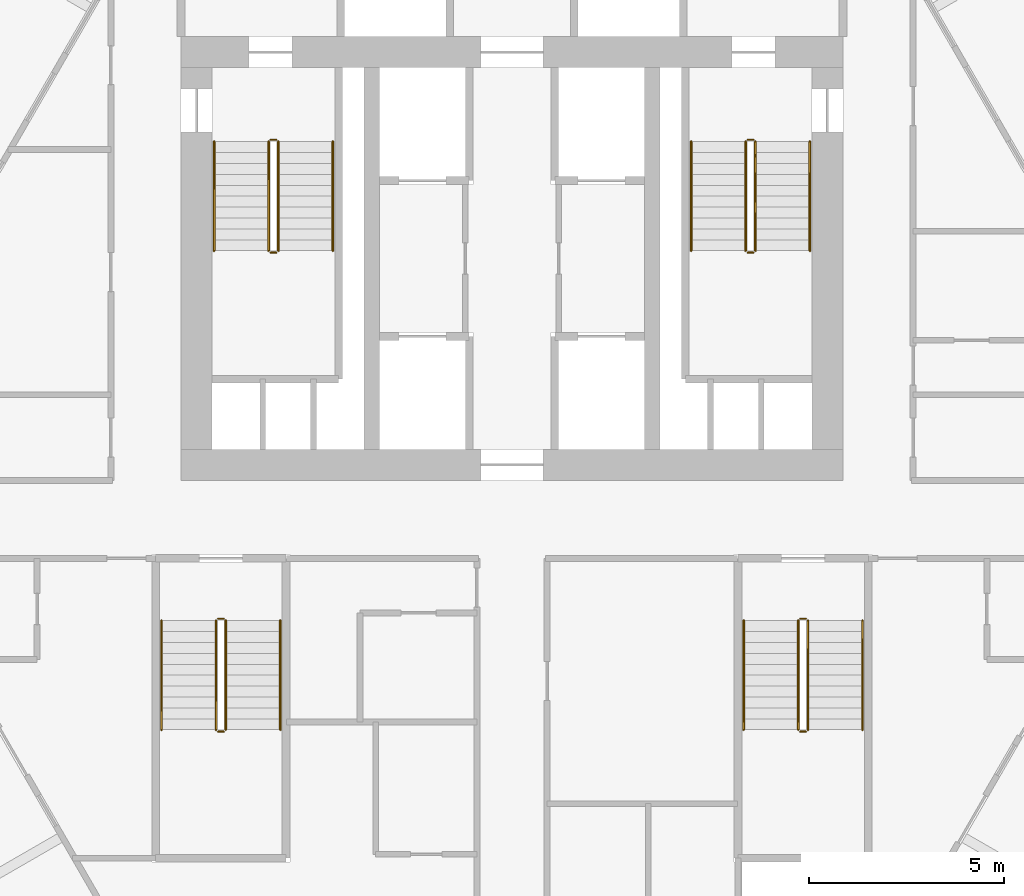
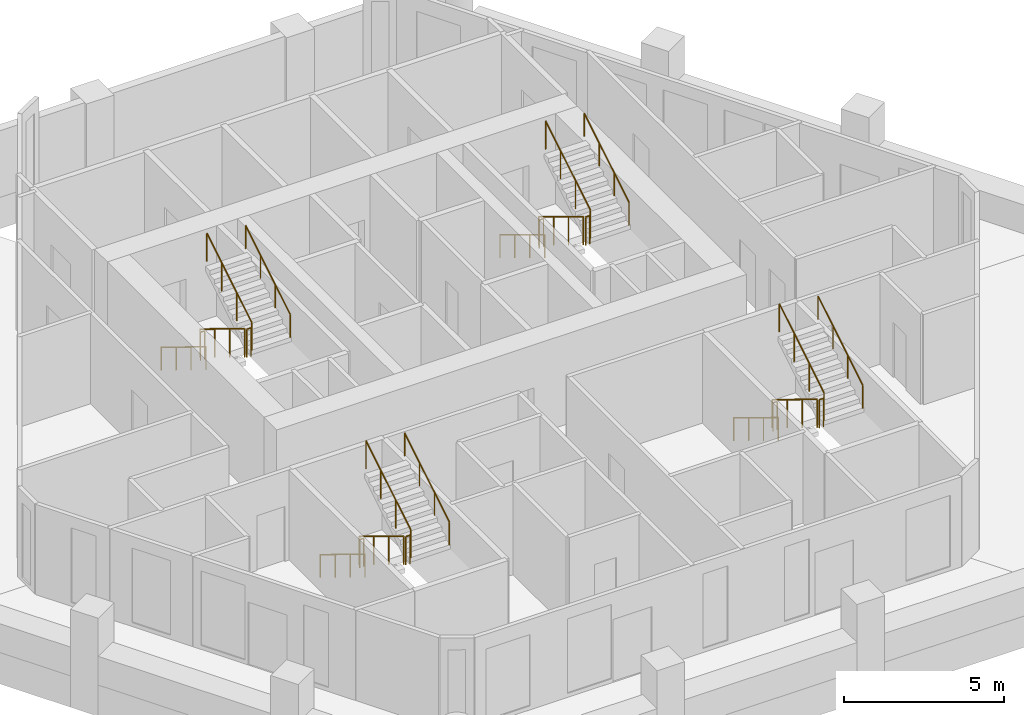
# One storey, part 7 of 7: 24 railings.
"""IFC4 building model written with IfcOpenShell, lengths in metres."""

import ifcopenshell
import ifcopenshell.guid

model = None  # the IFC model being written
_history = None  # IfcOwnerHistory: only IFC2X3 demands one
_inside = {}  # id of a spatial element -> (the spatial element, [elements in it])
_under = {}  # id of a project, library or spatial element -> (it, [spatial elements below it])
_declared = {}  # id of a project -> (the project, [libraries it declares])
_typed = {}  # id of a type object -> (the type object, [elements of that type])
_made_of = {}  # id of a material, layer set ... -> (it, [elements and type objects made of it])


def new_model(schema):
    """Start an empty IFC model of exactly this schema.

    Asked for "IFC4X3", IfcOpenShell would pick the latest addendum, in which some entities
    have other attributes; the version numbers below select the first issue.
    IFC2X3 requires an IfcOwnerHistory on every rooted entity: one is made here for all.
    """
    global model, _history
    if schema == "IFC4X3":
        model = ifcopenshell.file(schema_version=(4, 3, 0, 0))
    else:
        model = ifcopenshell.file(schema=schema)
    _inside.clear()
    _under.clear()
    _declared.clear()
    _typed.clear()
    _made_of.clear()
    _history = None
    if model.schema == "IFC2X3":
        org = make("IfcOrganization", Name="unknown")
        user = make(
            "IfcPersonAndOrganization",
            ThePerson=make("IfcPerson", FamilyName="unknown"),
            TheOrganization=org,
        )
        app = make(
            "IfcApplication",
            ApplicationDeveloper=org,
            Version="unknown",
            ApplicationFullName="unknown",
            ApplicationIdentifier="unknown",
        )
        _history = make(
            "IfcOwnerHistory",
            OwningUser=user,
            OwningApplication=app,
            ChangeAction="ADDED",
            CreationDate=0,
        )
    return model


def make(cls, **values):
    """One entity of the class cls with the attributes given. An attribute that is None is left unset."""
    return model.create_entity(
        cls, **{name: value for name, value in values.items() if value is not None}
    )


def rooted(cls, **values):
    """An entity with a GlobalId (a new one), such as an element, a storey or a relation."""
    return make(cls, GlobalId=ifcopenshell.guid.new(), OwnerHistory=_history, **values)


def si_unit(unit_type, name, prefix=None):
    """IfcSIUnit, for example si_unit("LENGTHUNIT", "METRE", prefix="MILLI")."""
    return make("IfcSIUnit", UnitType=unit_type, Prefix=prefix, Name=name)


def assignment(units):
    """IfcUnitAssignment: the units of a project."""
    return None if units is None else make("IfcUnitAssignment", Units=units)


def point(xyz):
    """IfcCartesianPoint."""
    return None if xyz is None else make("IfcCartesianPoint", Coordinates=xyz)


def direction(xyz):
    """IfcDirection."""
    return None if xyz is None else make("IfcDirection", DirectionRatios=xyz)


def frame(location, z_axis=None, x_axis=None):
    """IfcAxis2Placement3D, a coordinate frame: its origin and axes. An axis left out is left unset."""
    return make(
        "IfcAxis2Placement3D",
        Location=point(location),
        Axis=direction(z_axis),
        RefDirection=direction(x_axis),
    )


def frame_2d(location, x_axis=None):
    """IfcAxis2Placement2D, a coordinate frame in the plane: its origin and x axis."""
    return make(
        "IfcAxis2Placement2D", Location=point(location), RefDirection=direction(x_axis)
    )


def origin():
    """The frame at (0, 0, 0) with its axes left unset."""
    return frame((0.0, 0.0, 0.0))


def origin_2d():
    """The frame at (0, 0) in the plane with its x axis left unset."""
    return frame_2d((0.0, 0.0))


def place(relative_to, where):
    """IfcLocalPlacement: puts the frame where relative to a parent placement (None: the world)."""
    return make(
        "IfcLocalPlacement", PlacementRelTo=relative_to, RelativePlacement=where
    )


def context(
    kind, dimensions, precision=None, world=None, true_north=None, identifier=None
):
    """IfcGeometricRepresentationContext, for example the 3D "Model" context."""
    return make(
        "IfcGeometricRepresentationContext",
        ContextIdentifier=identifier,
        ContextType=kind,
        CoordinateSpaceDimension=dimensions,
        Precision=precision,
        WorldCoordinateSystem=world,
        TrueNorth=true_north,
    )


def subcontext(parent, identifier, kind, view, scale=None):
    """IfcGeometricRepresentationSubContext, for example "Body" below "Model"."""
    return make(
        "IfcGeometricRepresentationSubContext",
        ContextIdentifier=identifier,
        ContextType=kind,
        ParentContext=parent,
        TargetScale=scale,
        TargetView=view,
    )


def project(units=None, contexts=None):
    """IfcProject with its units and contexts."""
    return rooted(
        "IfcProject",
        Name="project",
        RepresentationContexts=contexts,
        UnitsInContext=assignment(units),
    )


def spatial(cls, under=None, at=None, **own):
    """A site, building, storey or space (cls), placed at a placement, below another one or the project."""
    s = rooted(cls, ObjectPlacement=at, **own)
    if under is not None:
        _under.setdefault(under.id(), (under, []))[1].append(s)
    return s


def profile(cls, at=None, kind="AREA", **sizes):
    """A parametric profile (cls). Its sizes go by their IFC names, for example OverallWidth=200.0."""
    return make(cls, ProfileType=kind, Position=at, **sizes)


def circle(**sizes):
    """IfcCircleProfileDef."""
    return profile("IfcCircleProfileDef", **sizes)


def extrude(swept, where, along, depth):
    """IfcExtrudedAreaSolid: the profile swept, set in the frame where, extruded along a direction by depth."""
    return make(
        "IfcExtrudedAreaSolid",
        SweptArea=swept,
        Position=where,
        ExtrudedDirection=direction(along),
        Depth=depth,
    )


def shape(context_of_items, identifier, shape_type, items):
    """IfcShapeRepresentation: the items that make up one representation, for example the "Body"."""
    return make(
        "IfcShapeRepresentation",
        ContextOfItems=context_of_items,
        RepresentationIdentifier=identifier,
        RepresentationType=shape_type,
        Items=items,
    )


def material(Name=None, Category=None):
    """IfcMaterial."""
    return make("IfcMaterial", Name=Name, Category=Category)


def made_of(thing, what):
    """Note that an element or type object is made of a material, layer set ...; save() writes the relation."""
    if what is not None:
        _made_of.setdefault(what.id(), (what, []))[1].append(thing)
    return thing


def type_object(cls, material=None, **own):
    """A type object (cls), such as IfcWallType, which elements share."""
    return made_of(rooted(cls, **own), material)


def element(
    cls,
    number,
    at=None,
    inside=None,
    cuts=None,
    type_object=None,
    material=None,
    context=None,
    identifier="Body",
    shape_type=None,
    held_by="IfcProductDefinitionShape",
    body=None,
    shapes=None,
    **own,
):
    """One element of the class cls, such as IfcWall. Its Tag is "e" and its number.

    at: its placement. inside: the storey or other place that contains it. cuts: it is an
    opening in that element (IfcRelVoidsElement). A single representation is given by context,
    identifier, shape_type and body (its items); several are given by shapes. held_by: the class
    of the entity that holds the representations. save() writes the other relations.
    """
    e = rooted(cls, Tag="e%d" % number, ObjectPlacement=at, **own)
    if body is not None:
        shapes = [shape(context, identifier, shape_type, body)]
    if shapes is not None:
        e.Representation = make(held_by, Representations=shapes)
    if inside is not None:
        _inside.setdefault(inside.id(), (inside, []))[1].append(e)
    if cuts is not None:
        rooted(
            "IfcRelVoidsElement", RelatingBuildingElement=cuts, RelatedOpeningElement=e
        )
    if type_object is not None:
        _typed.setdefault(type_object.id(), (type_object, []))[1].append(e)
    return made_of(e, material)


def aggregate(whole, parts):
    """IfcRelAggregates: a whole, such as a stair, and the parts it consists of."""
    return rooted("IfcRelAggregates", RelatingObject=whole, RelatedObjects=parts)


def save(model, path):
    """Write the relations noted so far, then the file.

    IfcRelAggregates (storeys below a building ...), IfcRelContainedInSpatialStructure (elements
    in a storey), IfcRelDefinesByType, IfcRelAssociatesMaterial and IfcRelDeclares: one each for
    every whole, place, type object, material and project.
    """
    for whole, parts in _under.values():
        aggregate(whole, parts)
    for where, things in _inside.values():
        rooted(
            "IfcRelContainedInSpatialStructure",
            RelatedElements=things,
            RelatingStructure=where,
        )
    for kind, things in _typed.values():
        rooted("IfcRelDefinesByType", RelatedObjects=things, RelatingType=kind)
    for what, things in _made_of.values():
        rooted("IfcRelAssociatesMaterial", RelatedObjects=things, RelatingMaterial=what)
    for by, libraries in _declared.values():
        rooted("IfcRelDeclares", RelatingContext=by, RelatedDefinitions=libraries)
    model.write(path)


model = new_model("IFC4")

# Units and contexts
model_context = context("Model", 3, precision=1e-05, world=origin(), true_north=direction((0.0, 1.0)))
body_context = subcontext(model_context, "Body", "Model", "MODEL_VIEW")
ifc_project = project(units=[si_unit("LENGTHUNIT", "METRE"), si_unit("AREAUNIT", "SQUARE_METRE"), si_unit("VOLUMEUNIT", "CUBIC_METRE"), si_unit("PLANEANGLEUNIT", "RADIAN"), si_unit("MASSUNIT", "GRAM", prefix="KILO")], contexts=[model_context])

# Site, building, storey
site_placement = place(None, origin())
site = spatial("IfcSite", under=ifc_project, at=site_placement, CompositionType="ELEMENT")
building_placement = place(site_placement, origin())
building = spatial("IfcBuilding", under=site, at=building_placement, Name="Ostrander Bayou Hotel Tower", CompositionType="ELEMENT")
storey_placement = place(building_placement, frame((0.0, 0.0, 190.75)))
storey = spatial("IfcBuildingStorey", under=building, at=storey_placement, Name="L47", CompositionType="ELEMENT", Elevation=190.75)

# Railings
ifc_material_1 = material(Name="Steel ASTM A500 Gr C", Category="steel")
railing_type_1 = type_object("IfcRailingType", Name="GR1 stair guard 1100 mm steel", PredefinedType="GUARDRAIL", material=ifc_material_1)
railing_1_placement = place(storey_placement, frame((-6.25, 7.0, 0.17041015625)))
element("IfcRailing", 1, at=railing_1_placement, inside=storey, type_object=railing_type_1, Name="L47 STA stair guard 1", PredefinedType="GUARDRAIL", context=body_context, shape_type="SweptSolid", body=[
    extrude(circle(Radius=0.02392578125, at=origin_2d()), frame((0.0, 0.0, 1.076171875), z_axis=(0.0, -0.854169791009, 0.51999420009), x_axis=(1.0, 0.0, 0.0)), (0.0, 0.0, 1.0), 3.278076171875),
    extrude(circle(Radius=0.02099609375, at=origin_2d()), origin(), (0.0, 0.0, 1.0), 1.052001953125),
    extrude(circle(Radius=0.02099609375, at=origin_2d()), frame((0.0, -0.933349609375, 0.568115234375)), (0.0, 0.0, 1.0), 1.052001953125),
    extrude(circle(Radius=0.02099609375, at=origin_2d()), frame((0.0, -1.86669921875, 1.136474609375)), (0.0, 0.0, 1.0), 1.052001953125),
    extrude(circle(Radius=0.02099609375, at=origin_2d()), frame((0.0, -2.800048828125, 1.70458984375)), (0.0, 0.0, 1.0), 1.052001953125),
])
railing_2_placement = place(storey_placement, frame((-6.199951171875, 4.14990234375, 1.875)))
element("IfcRailing", 2, at=railing_2_placement, inside=storey, type_object=railing_type_1, Name="L47 STA stair guard 2", PredefinedType="GUARDRAIL", context=body_context, shape_type="SweptSolid", body=[
    extrude(circle(Radius=0.02392578125, at=origin_2d()), frame((0.0, 0.0, 1.076171875), z_axis=(1.0, 0.0, 0.0), x_axis=(0.0, 1.0, 0.0)), (0.0, 0.0, 1.0), 0.14990234375),
    extrude(circle(Radius=0.02099609375, at=origin_2d()), origin(), (0.0, 0.0, 1.0), 1.052001953125),
    extrude(circle(Radius=0.02099609375, at=origin_2d()), frame((0.14990234375, 0.0, 0.0)), (0.0, 0.0, 1.0), 1.052001953125),
])
railing_3_placement = place(storey_placement, frame((-6.0, 4.199951171875, 2.04541015625)))
element("IfcRailing", 3, at=railing_3_placement, inside=storey, type_object=railing_type_1, Name="L47 STA stair guard 3", PredefinedType="GUARDRAIL", context=body_context, shape_type="SweptSolid", body=[
    extrude(circle(Radius=0.02392578125, at=origin_2d()), frame((0.0, 0.0, 1.076171875), z_axis=(0.0, 0.854169791009, 0.51999420009), x_axis=(-1.0, 0.0, 0.0)), (0.0, 0.0, 1.0), 3.278076171875),
    extrude(circle(Radius=0.02099609375, at=origin_2d()), origin(), (0.0, 0.0, 1.0), 1.052001953125),
    extrude(circle(Radius=0.02099609375, at=origin_2d()), frame((0.0, 0.933349609375, 0.568115234375)), (0.0, 0.0, 1.0), 1.052001953125),
    extrude(circle(Radius=0.02099609375, at=origin_2d()), frame((0.0, 1.86669921875, 1.136474609375)), (0.0, 0.0, 1.0), 1.052001953125),
    extrude(circle(Radius=0.02099609375, at=origin_2d()), frame((0.0, 2.800048828125, 1.70458984375)), (0.0, 0.0, 1.0), 1.052001953125),
])
railing_4_placement = place(storey_placement, frame((-6.199951171875, 7.050048828125, 0.0)))
element("IfcRailing", 4, at=railing_4_placement, inside=storey, type_object=railing_type_1, Name="L47 STA stair guard 4", PredefinedType="GUARDRAIL", context=body_context, shape_type="SweptSolid", body=[
    extrude(circle(Radius=0.02392578125, at=origin_2d()), frame((0.0, 0.0, 1.076171875), z_axis=(1.0, 0.0, 0.0), x_axis=(0.0, 1.0, 0.0)), (0.0, 0.0, 1.0), 0.14990234375),
    extrude(circle(Radius=0.02099609375, at=origin_2d()), origin(), (0.0, 0.0, 1.0), 1.052001953125),
    extrude(circle(Radius=0.02099609375, at=origin_2d()), frame((0.14990234375, 0.0, 0.0)), (0.0, 0.0, 1.0), 1.052001953125),
])
railing_5_placement = place(storey_placement, frame((6.0, 7.0, 0.17041015625)))
element("IfcRailing", 5, at=railing_5_placement, inside=storey, type_object=railing_type_1, Name="L47 STB stair guard 1", PredefinedType="GUARDRAIL", context=body_context, shape_type="SweptSolid", body=[
    extrude(circle(Radius=0.02392578125, at=origin_2d()), frame((0.0, 0.0, 1.076171875), z_axis=(0.0, -0.854169791009, 0.51999420009), x_axis=(1.0, 0.0, 0.0)), (0.0, 0.0, 1.0), 3.278076171875),
    extrude(circle(Radius=0.02099609375, at=origin_2d()), origin(), (0.0, 0.0, 1.0), 1.052001953125),
    extrude(circle(Radius=0.02099609375, at=origin_2d()), frame((0.0, -0.933349609375, 0.568115234375)), (0.0, 0.0, 1.0), 1.052001953125),
    extrude(circle(Radius=0.02099609375, at=origin_2d()), frame((0.0, -1.86669921875, 1.136474609375)), (0.0, 0.0, 1.0), 1.052001953125),
    extrude(circle(Radius=0.02099609375, at=origin_2d()), frame((0.0, -2.800048828125, 1.70458984375)), (0.0, 0.0, 1.0), 1.052001953125),
])
railing_6_placement = place(storey_placement, frame((6.050048828125, 4.14990234375, 1.875)))
element("IfcRailing", 6, at=railing_6_placement, inside=storey, type_object=railing_type_1, Name="L47 STB stair guard 2", PredefinedType="GUARDRAIL", context=body_context, shape_type="SweptSolid", body=[
    extrude(circle(Radius=0.02392578125, at=origin_2d()), frame((0.0, 0.0, 1.076171875), z_axis=(1.0, 0.0, 0.0), x_axis=(0.0, 1.0, 0.0)), (0.0, 0.0, 1.0), 0.14990234375),
    extrude(circle(Radius=0.02099609375, at=origin_2d()), origin(), (0.0, 0.0, 1.0), 1.052001953125),
    extrude(circle(Radius=0.02099609375, at=origin_2d()), frame((0.14990234375, 0.0, 0.0)), (0.0, 0.0, 1.0), 1.052001953125),
])
railing_7_placement = place(storey_placement, frame((6.25, 4.199951171875, 2.04541015625)))
element("IfcRailing", 7, at=railing_7_placement, inside=storey, type_object=railing_type_1, Name="L47 STB stair guard 3", PredefinedType="GUARDRAIL", context=body_context, shape_type="SweptSolid", body=[
    extrude(circle(Radius=0.02392578125, at=origin_2d()), frame((0.0, 0.0, 1.076171875), z_axis=(0.0, 0.854169791009, 0.51999420009), x_axis=(-1.0, 0.0, 0.0)), (0.0, 0.0, 1.0), 3.278076171875),
    extrude(circle(Radius=0.02099609375, at=origin_2d()), origin(), (0.0, 0.0, 1.0), 1.052001953125),
    extrude(circle(Radius=0.02099609375, at=origin_2d()), frame((0.0, 0.933349609375, 0.568115234375)), (0.0, 0.0, 1.0), 1.052001953125),
    extrude(circle(Radius=0.02099609375, at=origin_2d()), frame((0.0, 1.86669921875, 1.136474609375)), (0.0, 0.0, 1.0), 1.052001953125),
    extrude(circle(Radius=0.02099609375, at=origin_2d()), frame((0.0, 2.800048828125, 1.70458984375)), (0.0, 0.0, 1.0), 1.052001953125),
])
railing_8_placement = place(storey_placement, frame((6.050048828125, 7.050048828125, 0.0)))
element("IfcRailing", 8, at=railing_8_placement, inside=storey, type_object=railing_type_1, Name="L47 STB stair guard 4", PredefinedType="GUARDRAIL", context=body_context, shape_type="SweptSolid", body=[
    extrude(circle(Radius=0.02392578125, at=origin_2d()), frame((0.0, 0.0, 1.076171875), z_axis=(1.0, 0.0, 0.0), x_axis=(0.0, 1.0, 0.0)), (0.0, 0.0, 1.0), 0.14990234375),
    extrude(circle(Radius=0.02099609375, at=origin_2d()), origin(), (0.0, 0.0, 1.0), 1.052001953125),
    extrude(circle(Radius=0.02099609375, at=origin_2d()), frame((0.14990234375, 0.0, 0.0)), (0.0, 0.0, 1.0), 1.052001953125),
])
railing_9_placement = place(storey_placement, frame((7.35009765625, -5.300048828125, 0.17041015625)))
element("IfcRailing", 9, at=railing_9_placement, inside=storey, type_object=railing_type_1, Name="L47 STC stair guard 1", PredefinedType="GUARDRAIL", context=body_context, shape_type="SweptSolid", body=[
    extrude(circle(Radius=0.02392578125, at=origin_2d()), frame((0.0, 0.0, 1.076171875), z_axis=(0.0, -0.854169791009, 0.51999420009), x_axis=(1.0, 0.0, 0.0)), (0.0, 0.0, 1.0), 3.278076171875),
    extrude(circle(Radius=0.02099609375, at=origin_2d()), origin(), (0.0, 0.0, 1.0), 1.052001953125),
    extrude(circle(Radius=0.02099609375, at=origin_2d()), frame((0.0, -0.933349609375, 0.568115234375)), (0.0, 0.0, 1.0), 1.052001953125),
    extrude(circle(Radius=0.02099609375, at=origin_2d()), frame((0.0, -1.86669921875, 1.136474609375)), (0.0, 0.0, 1.0), 1.052001953125),
    extrude(circle(Radius=0.02099609375, at=origin_2d()), frame((0.0, -2.800048828125, 1.70458984375)), (0.0, 0.0, 1.0), 1.052001953125),
])
railing_10_placement = place(storey_placement, frame((7.39990234375, -8.14990234375, 1.875)))
element("IfcRailing", 10, at=railing_10_placement, inside=storey, type_object=railing_type_1, Name="L47 STC stair guard 2", PredefinedType="GUARDRAIL", context=body_context, shape_type="SweptSolid", body=[
    extrude(circle(Radius=0.02392578125, at=origin_2d()), frame((0.0, 0.0, 1.076171875), z_axis=(1.0, 0.0, 0.0), x_axis=(0.0, 1.0, 0.0)), (0.0, 0.0, 1.0), 0.150146484375),
    extrude(circle(Radius=0.02099609375, at=origin_2d()), origin(), (0.0, 0.0, 1.0), 1.052001953125),
    extrude(circle(Radius=0.02099609375, at=origin_2d()), frame((0.150146484375, 0.0, 0.0)), (0.0, 0.0, 1.0), 1.052001953125),
])
railing_11_placement = place(storey_placement, frame((7.60009765625, -8.10009765625, 2.04541015625)))
element("IfcRailing", 11, at=railing_11_placement, inside=storey, type_object=railing_type_1, Name="L47 STC stair guard 3", PredefinedType="GUARDRAIL", context=body_context, shape_type="SweptSolid", body=[
    extrude(circle(Radius=0.02392578125, at=origin_2d()), frame((0.0, 0.0, 1.076171875), z_axis=(0.0, 0.854169791009, 0.51999420009), x_axis=(-1.0, 0.0, 0.0)), (0.0, 0.0, 1.0), 3.278076171875),
    extrude(circle(Radius=0.02099609375, at=origin_2d()), origin(), (0.0, 0.0, 1.0), 1.052001953125),
    extrude(circle(Radius=0.02099609375, at=origin_2d()), frame((0.0, 0.933349609375, 0.568115234375)), (0.0, 0.0, 1.0), 1.052001953125),
    extrude(circle(Radius=0.02099609375, at=origin_2d()), frame((0.0, 1.86669921875, 1.136474609375)), (0.0, 0.0, 1.0), 1.052001953125),
    extrude(circle(Radius=0.02099609375, at=origin_2d()), frame((0.0, 2.800048828125, 1.70458984375)), (0.0, 0.0, 1.0), 1.052001953125),
])
railing_12_placement = place(storey_placement, frame((7.39990234375, -5.25, 0.0)))
element("IfcRailing", 12, at=railing_12_placement, inside=storey, type_object=railing_type_1, Name="L47 STC stair guard 4", PredefinedType="GUARDRAIL", context=body_context, shape_type="SweptSolid", body=[
    extrude(circle(Radius=0.02392578125, at=origin_2d()), frame((0.0, 0.0, 1.076171875), z_axis=(1.0, 0.0, 0.0), x_axis=(0.0, 1.0, 0.0)), (0.0, 0.0, 1.0), 0.150146484375),
    extrude(circle(Radius=0.02099609375, at=origin_2d()), origin(), (0.0, 0.0, 1.0), 1.052001953125),
    extrude(circle(Radius=0.02099609375, at=origin_2d()), frame((0.150146484375, 0.0, 0.0)), (0.0, 0.0, 1.0), 1.052001953125),
])
railing_13_placement = place(storey_placement, frame((-7.60009765625, -5.300048828125, 0.17041015625)))
element("IfcRailing", 13, at=railing_13_placement, inside=storey, type_object=railing_type_1, Name="L47 STD stair guard 1", PredefinedType="GUARDRAIL", context=body_context, shape_type="SweptSolid", body=[
    extrude(circle(Radius=0.02392578125, at=origin_2d()), frame((0.0, 0.0, 1.076171875), z_axis=(0.0, -0.854169791009, 0.51999420009), x_axis=(1.0, 0.0, 0.0)), (0.0, 0.0, 1.0), 3.278076171875),
    extrude(circle(Radius=0.02099609375, at=origin_2d()), origin(), (0.0, 0.0, 1.0), 1.052001953125),
    extrude(circle(Radius=0.02099609375, at=origin_2d()), frame((0.0, -0.933349609375, 0.568115234375)), (0.0, 0.0, 1.0), 1.052001953125),
    extrude(circle(Radius=0.02099609375, at=origin_2d()), frame((0.0, -1.86669921875, 1.136474609375)), (0.0, 0.0, 1.0), 1.052001953125),
    extrude(circle(Radius=0.02099609375, at=origin_2d()), frame((0.0, -2.800048828125, 1.70458984375)), (0.0, 0.0, 1.0), 1.052001953125),
])
railing_14_placement = place(storey_placement, frame((-7.550048828125, -8.14990234375, 1.875)))
element("IfcRailing", 14, at=railing_14_placement, inside=storey, type_object=railing_type_1, Name="L47 STD stair guard 2", PredefinedType="GUARDRAIL", context=body_context, shape_type="SweptSolid", body=[
    extrude(circle(Radius=0.02392578125, at=origin_2d()), frame((0.0, 0.0, 1.076171875), z_axis=(1.0, 0.0, 0.0), x_axis=(0.0, 1.0, 0.0)), (0.0, 0.0, 1.0), 0.150146484375),
    extrude(circle(Radius=0.02099609375, at=origin_2d()), origin(), (0.0, 0.0, 1.0), 1.052001953125),
    extrude(circle(Radius=0.02099609375, at=origin_2d()), frame((0.150146484375, 0.0, 0.0)), (0.0, 0.0, 1.0), 1.052001953125),
])
railing_15_placement = place(storey_placement, frame((-7.35009765625, -8.10009765625, 2.04541015625)))
element("IfcRailing", 15, at=railing_15_placement, inside=storey, type_object=railing_type_1, Name="L47 STD stair guard 3", PredefinedType="GUARDRAIL", context=body_context, shape_type="SweptSolid", body=[
    extrude(circle(Radius=0.02392578125, at=origin_2d()), frame((0.0, 0.0, 1.076171875), z_axis=(0.0, 0.854169791009, 0.51999420009), x_axis=(-1.0, 0.0, 0.0)), (0.0, 0.0, 1.0), 3.278076171875),
    extrude(circle(Radius=0.02099609375, at=origin_2d()), origin(), (0.0, 0.0, 1.0), 1.052001953125),
    extrude(circle(Radius=0.02099609375, at=origin_2d()), frame((0.0, 0.933349609375, 0.568115234375)), (0.0, 0.0, 1.0), 1.052001953125),
    extrude(circle(Radius=0.02099609375, at=origin_2d()), frame((0.0, 1.86669921875, 1.136474609375)), (0.0, 0.0, 1.0), 1.052001953125),
    extrude(circle(Radius=0.02099609375, at=origin_2d()), frame((0.0, 2.800048828125, 1.70458984375)), (0.0, 0.0, 1.0), 1.052001953125),
])
railing_16_placement = place(storey_placement, frame((-7.550048828125, -5.25, 0.0)))
element("IfcRailing", 16, at=railing_16_placement, inside=storey, type_object=railing_type_1, Name="L47 STD stair guard 4", PredefinedType="GUARDRAIL", context=body_context, shape_type="SweptSolid", body=[
    extrude(circle(Radius=0.02392578125, at=origin_2d()), frame((0.0, 0.0, 1.076171875), z_axis=(1.0, 0.0, 0.0), x_axis=(0.0, 1.0, 0.0)), (0.0, 0.0, 1.0), 0.150146484375),
    extrude(circle(Radius=0.02099609375, at=origin_2d()), origin(), (0.0, 0.0, 1.0), 1.052001953125),
    extrude(circle(Radius=0.02099609375, at=origin_2d()), frame((0.150146484375, 0.0, 0.0)), (0.0, 0.0, 1.0), 1.052001953125),
])
ifc_material_2 = material(Name="Steel ASTM A500 Gr C", Category="steel")
railing_type_2 = type_object("IfcRailingType", Name="HR1 stair handrail 900 mm steel", PredefinedType="HANDRAIL", material=ifc_material_2)
railing_17_placement = place(storey_placement, frame((-7.64990234375, 7.0, 0.17041015625)))
element("IfcRailing", 17, at=railing_17_placement, inside=storey, type_object=railing_type_2, Name="L47 STA stair handrail 1", PredefinedType="HANDRAIL", context=body_context, shape_type="SweptSolid", body=[
    extrude(circle(Radius=0.02392578125, at=origin_2d()), frame((0.0, 0.0, 0.8759765625), z_axis=(0.0, -0.854169791009, 0.51999420009), x_axis=(1.0, 0.0, 0.0)), (0.0, 0.0, 1.0), 3.278076171875),
    extrude(circle(Radius=0.02099609375, at=origin_2d()), origin(), (0.0, 0.0, 1.0), 0.851806640625),
    extrude(circle(Radius=0.02099609375, at=origin_2d()), frame((0.0, -0.933349609375, 0.568115234375)), (0.0, 0.0, 1.0), 0.851806640625),
    extrude(circle(Radius=0.02099609375, at=origin_2d()), frame((0.0, -1.86669921875, 1.136474609375)), (0.0, 0.0, 1.0), 0.851806640625),
    extrude(circle(Radius=0.02099609375, at=origin_2d()), frame((0.0, -2.800048828125, 1.70458984375)), (0.0, 0.0, 1.0), 0.851806640625),
])
railing_18_placement = place(storey_placement, frame((-4.60009765625, 4.199951171875, 2.04541015625)))
element("IfcRailing", 18, at=railing_18_placement, inside=storey, type_object=railing_type_2, Name="L47 STA stair handrail 2", PredefinedType="HANDRAIL", context=body_context, shape_type="SweptSolid", body=[
    extrude(circle(Radius=0.02392578125, at=origin_2d()), frame((0.0, 0.0, 0.8759765625), z_axis=(0.0, 0.854169791009, 0.51999420009), x_axis=(-1.0, 0.0, 0.0)), (0.0, 0.0, 1.0), 3.278076171875),
    extrude(circle(Radius=0.02099609375, at=origin_2d()), origin(), (0.0, 0.0, 1.0), 0.851806640625),
    extrude(circle(Radius=0.02099609375, at=origin_2d()), frame((0.0, 0.933349609375, 0.568115234375)), (0.0, 0.0, 1.0), 0.851806640625),
    extrude(circle(Radius=0.02099609375, at=origin_2d()), frame((0.0, 1.86669921875, 1.136474609375)), (0.0, 0.0, 1.0), 0.851806640625),
    extrude(circle(Radius=0.02099609375, at=origin_2d()), frame((0.0, 2.800048828125, 1.70458984375)), (0.0, 0.0, 1.0), 0.851806640625),
])
railing_19_placement = place(storey_placement, frame((4.60009765625, 7.0, 0.17041015625)))
element("IfcRailing", 19, at=railing_19_placement, inside=storey, type_object=railing_type_2, Name="L47 STB stair handrail 1", PredefinedType="HANDRAIL", context=body_context, shape_type="SweptSolid", body=[
    extrude(circle(Radius=0.02392578125, at=origin_2d()), frame((0.0, 0.0, 0.8759765625), z_axis=(0.0, -0.854169791009, 0.51999420009), x_axis=(1.0, 0.0, 0.0)), (0.0, 0.0, 1.0), 3.278076171875),
    extrude(circle(Radius=0.02099609375, at=origin_2d()), origin(), (0.0, 0.0, 1.0), 0.851806640625),
    extrude(circle(Radius=0.02099609375, at=origin_2d()), frame((0.0, -0.933349609375, 0.568115234375)), (0.0, 0.0, 1.0), 0.851806640625),
    extrude(circle(Radius=0.02099609375, at=origin_2d()), frame((0.0, -1.86669921875, 1.136474609375)), (0.0, 0.0, 1.0), 0.851806640625),
    extrude(circle(Radius=0.02099609375, at=origin_2d()), frame((0.0, -2.800048828125, 1.70458984375)), (0.0, 0.0, 1.0), 0.851806640625),
])
railing_20_placement = place(storey_placement, frame((7.64990234375, 4.199951171875, 2.04541015625)))
element("IfcRailing", 20, at=railing_20_placement, inside=storey, type_object=railing_type_2, Name="L47 STB stair handrail 2", PredefinedType="HANDRAIL", context=body_context, shape_type="SweptSolid", body=[
    extrude(circle(Radius=0.02392578125, at=origin_2d()), frame((0.0, 0.0, 0.8759765625), z_axis=(0.0, 0.854169791009, 0.51999420009), x_axis=(-1.0, 0.0, 0.0)), (0.0, 0.0, 1.0), 3.278076171875),
    extrude(circle(Radius=0.02099609375, at=origin_2d()), origin(), (0.0, 0.0, 1.0), 0.851806640625),
    extrude(circle(Radius=0.02099609375, at=origin_2d()), frame((0.0, 0.933349609375, 0.568115234375)), (0.0, 0.0, 1.0), 0.851806640625),
    extrude(circle(Radius=0.02099609375, at=origin_2d()), frame((0.0, 1.86669921875, 1.136474609375)), (0.0, 0.0, 1.0), 0.851806640625),
    extrude(circle(Radius=0.02099609375, at=origin_2d()), frame((0.0, 2.800048828125, 1.70458984375)), (0.0, 0.0, 1.0), 0.851806640625),
])
railing_21_placement = place(storey_placement, frame((5.949951171875, -5.300048828125, 0.17041015625)))
element("IfcRailing", 21, at=railing_21_placement, inside=storey, type_object=railing_type_2, Name="L47 STC stair handrail 1", PredefinedType="HANDRAIL", context=body_context, shape_type="SweptSolid", body=[
    extrude(circle(Radius=0.02392578125, at=origin_2d()), frame((0.0, 0.0, 0.8759765625), z_axis=(0.0, -0.854169791009, 0.51999420009), x_axis=(1.0, 0.0, 0.0)), (0.0, 0.0, 1.0), 3.278076171875),
    extrude(circle(Radius=0.02099609375, at=origin_2d()), origin(), (0.0, 0.0, 1.0), 0.851806640625),
    extrude(circle(Radius=0.02099609375, at=origin_2d()), frame((0.0, -0.933349609375, 0.568115234375)), (0.0, 0.0, 1.0), 0.851806640625),
    extrude(circle(Radius=0.02099609375, at=origin_2d()), frame((0.0, -1.86669921875, 1.136474609375)), (0.0, 0.0, 1.0), 0.851806640625),
    extrude(circle(Radius=0.02099609375, at=origin_2d()), frame((0.0, -2.800048828125, 1.70458984375)), (0.0, 0.0, 1.0), 0.851806640625),
])
railing_22_placement = place(storey_placement, frame((9.0, -8.10009765625, 2.04541015625)))
element("IfcRailing", 22, at=railing_22_placement, inside=storey, type_object=railing_type_2, Name="L47 STC stair handrail 2", PredefinedType="HANDRAIL", context=body_context, shape_type="SweptSolid", body=[
    extrude(circle(Radius=0.02392578125, at=origin_2d()), frame((0.0, 0.0, 0.8759765625), z_axis=(0.0, 0.854169791009, 0.51999420009), x_axis=(-1.0, 0.0, 0.0)), (0.0, 0.0, 1.0), 3.278076171875),
    extrude(circle(Radius=0.02099609375, at=origin_2d()), origin(), (0.0, 0.0, 1.0), 0.851806640625),
    extrude(circle(Radius=0.02099609375, at=origin_2d()), frame((0.0, 0.933349609375, 0.568115234375)), (0.0, 0.0, 1.0), 0.851806640625),
    extrude(circle(Radius=0.02099609375, at=origin_2d()), frame((0.0, 1.86669921875, 1.136474609375)), (0.0, 0.0, 1.0), 0.851806640625),
    extrude(circle(Radius=0.02099609375, at=origin_2d()), frame((0.0, 2.800048828125, 1.70458984375)), (0.0, 0.0, 1.0), 0.851806640625),
])
railing_23_placement = place(storey_placement, frame((-9.0, -5.300048828125, 0.17041015625)))
element("IfcRailing", 23, at=railing_23_placement, inside=storey, type_object=railing_type_2, Name="L47 STD stair handrail 1", PredefinedType="HANDRAIL", context=body_context, shape_type="SweptSolid", body=[
    extrude(circle(Radius=0.02392578125, at=origin_2d()), frame((0.0, 0.0, 0.8759765625), z_axis=(0.0, -0.854169791009, 0.51999420009), x_axis=(1.0, 0.0, 0.0)), (0.0, 0.0, 1.0), 3.278076171875),
    extrude(circle(Radius=0.02099609375, at=origin_2d()), origin(), (0.0, 0.0, 1.0), 0.851806640625),
    extrude(circle(Radius=0.02099609375, at=origin_2d()), frame((0.0, -0.933349609375, 0.568115234375)), (0.0, 0.0, 1.0), 0.851806640625),
    extrude(circle(Radius=0.02099609375, at=origin_2d()), frame((0.0, -1.86669921875, 1.136474609375)), (0.0, 0.0, 1.0), 0.851806640625),
    extrude(circle(Radius=0.02099609375, at=origin_2d()), frame((0.0, -2.800048828125, 1.70458984375)), (0.0, 0.0, 1.0), 0.851806640625),
])
railing_24_placement = place(storey_placement, frame((-5.949951171875, -8.10009765625, 2.04541015625)))
element("IfcRailing", 24, at=railing_24_placement, inside=storey, type_object=railing_type_2, Name="L47 STD stair handrail 2", PredefinedType="HANDRAIL", context=body_context, shape_type="SweptSolid", body=[
    extrude(circle(Radius=0.02392578125, at=origin_2d()), frame((0.0, 0.0, 0.8759765625), z_axis=(0.0, 0.854169791009, 0.51999420009), x_axis=(-1.0, 0.0, 0.0)), (0.0, 0.0, 1.0), 3.278076171875),
    extrude(circle(Radius=0.02099609375, at=origin_2d()), origin(), (0.0, 0.0, 1.0), 0.851806640625),
    extrude(circle(Radius=0.02099609375, at=origin_2d()), frame((0.0, 0.933349609375, 0.568115234375)), (0.0, 0.0, 1.0), 0.851806640625),
    extrude(circle(Radius=0.02099609375, at=origin_2d()), frame((0.0, 1.86669921875, 1.136474609375)), (0.0, 0.0, 1.0), 0.851806640625),
    extrude(circle(Radius=0.02099609375, at=origin_2d()), frame((0.0, 2.800048828125, 1.70458984375)), (0.0, 0.0, 1.0), 0.851806640625),
])

save(model, "model.ifc")
